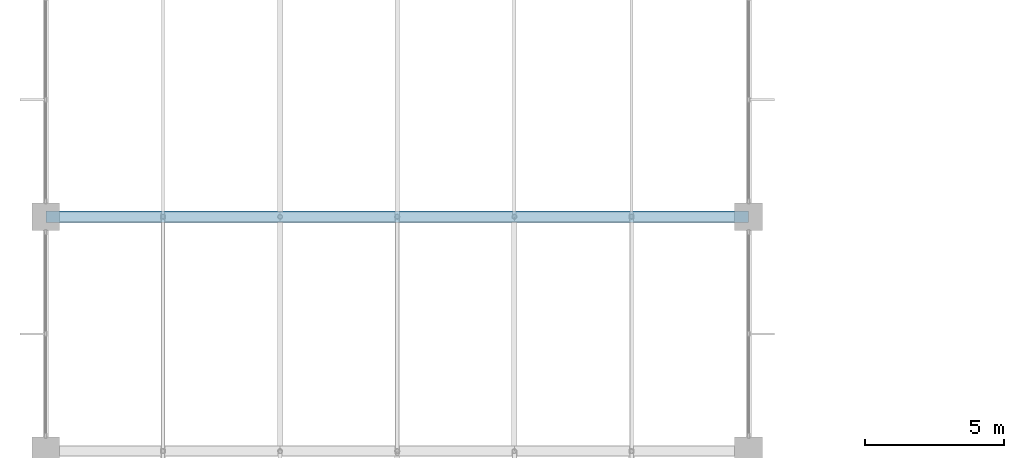
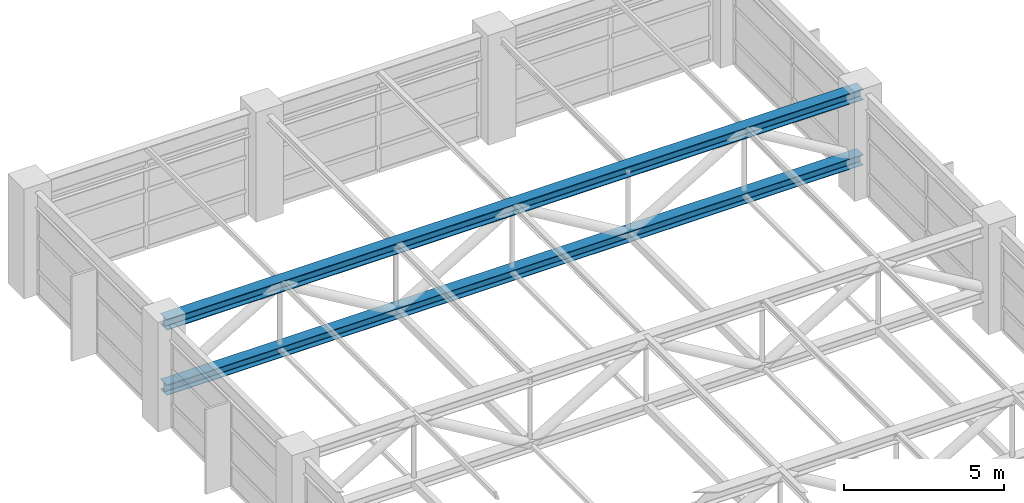
# One storey, part 15 of 32: 2 beams.
"""IFC4 building model written with IfcOpenShell, lengths in metres."""

from ifc_helpers import new_model, si_unit, direction, frame, origin, origin_2d, place, context, subcontext, project, spatial, i_section, extrude, material, material_profile, profile_set, type_object, element, save


model = new_model("IFC4")

# Units and contexts
model_context = context("Model", 3, precision=1e-05, world=origin(), true_north=direction((0.0, 1.0)))
body_context = subcontext(model_context, "Body", "Model", "MODEL_VIEW")
ifc_project = project(units=[si_unit("LENGTHUNIT", "METRE"), si_unit("AREAUNIT", "SQUARE_METRE"), si_unit("VOLUMEUNIT", "CUBIC_METRE"), si_unit("PLANEANGLEUNIT", "RADIAN"), si_unit("MASSUNIT", "GRAM", prefix="KILO")], contexts=[model_context])

# Site, building, storey
site_placement = place(None, origin())
site = spatial("IfcSite", under=ifc_project, at=site_placement, CompositionType="ELEMENT")
building_placement = place(site_placement, origin())
building = spatial("IfcBuilding", under=site, at=building_placement, Name="Xuanlan Plaza Opera House", CompositionType="ELEMENT")
storey_placement = place(building_placement, frame((0.0, 0.0, 40.5)))
storey = spatial("IfcBuildingStorey", under=building, at=storey_placement, Name="L09", CompositionType="ELEMENT", Elevation=40.5)

# Beams
ifc_material = material(Name="Steel Q390B", Category="steel")
ifc_material_profile_1 = material_profile(ifc_material, i_section(OverallWidth=0.405029296875, OverallDepth=0.4140625, WebThickness=0.01806640625, FlangeThickness=0.028076171875, FilletRadius=0.02197265625, at=origin_2d()), Name="HW 414x405x18x28")
ifc_profile_set_1 = profile_set([ifc_material_profile_1], Name="Steel Q390B")
beam_type_1 = type_object("IfcBeamType", Name="STR-BM-TCH-01", PredefinedType="BEAM", material=ifc_profile_set_1)
beam_1_placement = place(storey_placement, frame((42.0, 67.199951171875, 3.751953125), z_axis=(1.0, 0.0, 0.0), x_axis=(0.0, 1.0, 0.0)))
element("IfcBeam", 1, at=beam_1_placement, inside=storey, type_object=beam_type_1, Name="Stage Roof Truss STG-03 Top Chord Girder", PredefinedType="BEAM", context=body_context, shape_type="SweptSolid", body=[
    extrude(i_section(OverallWidth=0.405029296875, OverallDepth=0.4140625, WebThickness=0.01806640625, FlangeThickness=0.028076171875, FilletRadius=0.02197265625, at=origin_2d()), origin(), (0.0, 0.0, 1.0), 25.199951171875),
])
ifc_material_profile_2 = material_profile(ifc_material, i_section(OverallWidth=0.39990234375, OverallDepth=0.39990234375, WebThickness=0.012939453125, FlangeThickness=0.02099609375, FilletRadius=0.02197265625, at=origin_2d()), Name="HW 400x400x13x21")
ifc_profile_set_2 = profile_set([ifc_material_profile_2], Name="Steel Q390B")
beam_type_2 = type_object("IfcBeamType", Name="STR-BM-TCH-02", PredefinedType="BEAM", material=ifc_profile_set_2)
beam_2_placement = place(storey_placement, frame((42.0, 67.199951171875, 1.251953125), z_axis=(1.0, 0.0, 0.0), x_axis=(0.0, 1.0, 0.0)))
element("IfcBeam", 2, at=beam_2_placement, inside=storey, type_object=beam_type_2, Name="Stage Roof Truss STG-03 Bottom Chord Girder", PredefinedType="BEAM", context=body_context, shape_type="SweptSolid", body=[
    extrude(i_section(OverallWidth=0.39990234375, OverallDepth=0.39990234375, WebThickness=0.012939453125, FlangeThickness=0.02099609375, FilletRadius=0.02197265625, at=origin_2d()), origin(), (0.0, 0.0, 1.0), 25.199951171875),
])

save(model, "model.ifc")
